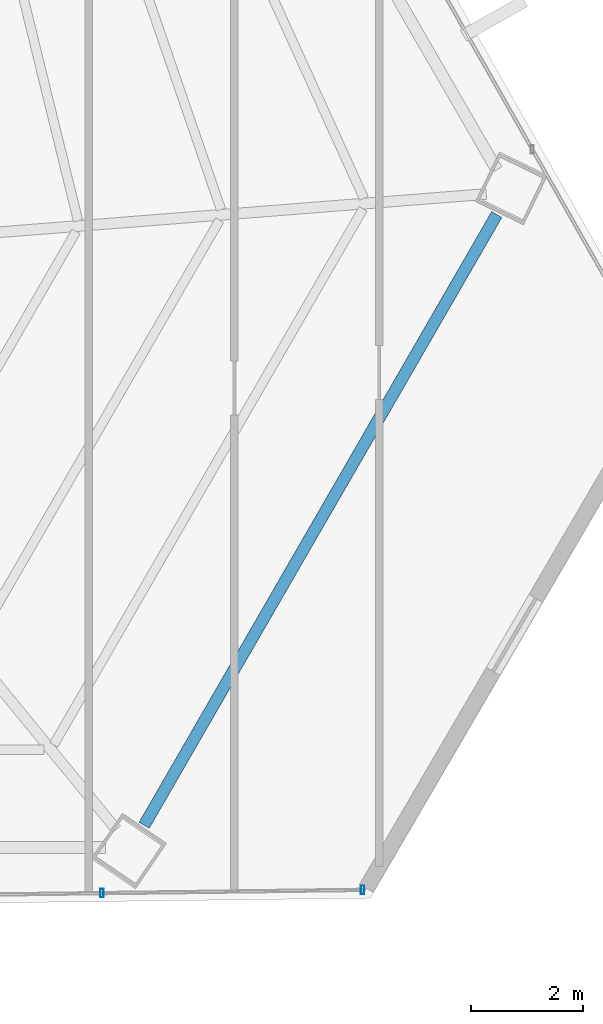
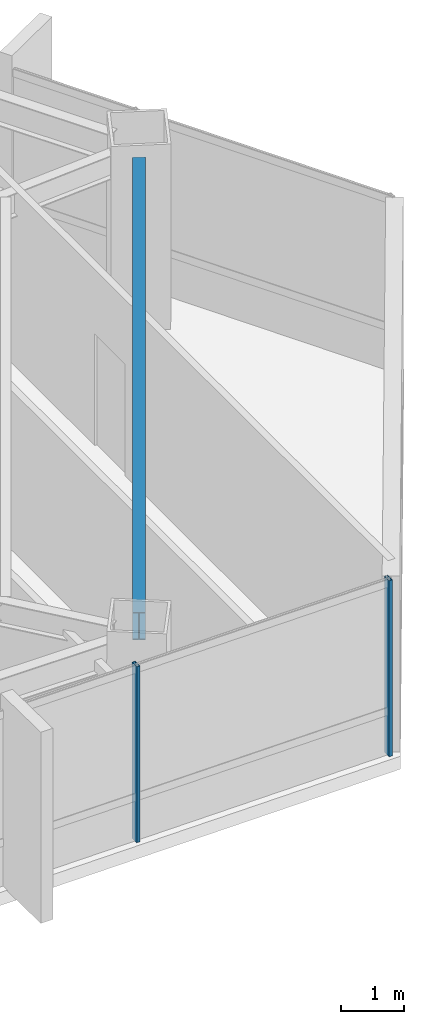
# One storey, part 19 of 42: 2 members, 1 beam, 1 element without a shape of its own.
"""IFC4 building model written with IfcOpenShell, lengths in metres."""

import ifcopenshell
import ifcopenshell.guid

model = None  # the IFC model being written
_history = None  # IfcOwnerHistory: only IFC2X3 demands one
_inside = {}  # id of a spatial element -> (the spatial element, [elements in it])
_under = {}  # id of a project, library or spatial element -> (it, [spatial elements below it])
_declared = {}  # id of a project -> (the project, [libraries it declares])
_typed = {}  # id of a type object -> (the type object, [elements of that type])
_made_of = {}  # id of a material, layer set ... -> (it, [elements and type objects made of it])


def new_model(schema):
    """Start an empty IFC model of exactly this schema.

    Asked for "IFC4X3", IfcOpenShell would pick the latest addendum, in which some entities
    have other attributes; the version numbers below select the first issue.
    IFC2X3 requires an IfcOwnerHistory on every rooted entity: one is made here for all.
    """
    global model, _history
    if schema == "IFC4X3":
        model = ifcopenshell.file(schema_version=(4, 3, 0, 0))
    else:
        model = ifcopenshell.file(schema=schema)
    _inside.clear()
    _under.clear()
    _declared.clear()
    _typed.clear()
    _made_of.clear()
    _history = None
    if model.schema == "IFC2X3":
        org = make("IfcOrganization", Name="unknown")
        user = make(
            "IfcPersonAndOrganization",
            ThePerson=make("IfcPerson", FamilyName="unknown"),
            TheOrganization=org,
        )
        app = make(
            "IfcApplication",
            ApplicationDeveloper=org,
            Version="unknown",
            ApplicationFullName="unknown",
            ApplicationIdentifier="unknown",
        )
        _history = make(
            "IfcOwnerHistory",
            OwningUser=user,
            OwningApplication=app,
            ChangeAction="ADDED",
            CreationDate=0,
        )
    return model


def make(cls, **values):
    """One entity of the class cls with the attributes given. An attribute that is None is left unset."""
    return model.create_entity(
        cls, **{name: value for name, value in values.items() if value is not None}
    )


def rooted(cls, **values):
    """An entity with a GlobalId (a new one), such as an element, a storey or a relation."""
    return make(cls, GlobalId=ifcopenshell.guid.new(), OwnerHistory=_history, **values)


def si_unit(unit_type, name, prefix=None):
    """IfcSIUnit, for example si_unit("LENGTHUNIT", "METRE", prefix="MILLI")."""
    return make("IfcSIUnit", UnitType=unit_type, Prefix=prefix, Name=name)


def assignment(units):
    """IfcUnitAssignment: the units of a project."""
    return None if units is None else make("IfcUnitAssignment", Units=units)


def point(xyz):
    """IfcCartesianPoint."""
    return None if xyz is None else make("IfcCartesianPoint", Coordinates=xyz)


def direction(xyz):
    """IfcDirection."""
    return None if xyz is None else make("IfcDirection", DirectionRatios=xyz)


def frame(location, z_axis=None, x_axis=None):
    """IfcAxis2Placement3D, a coordinate frame: its origin and axes. An axis left out is left unset."""
    return make(
        "IfcAxis2Placement3D",
        Location=point(location),
        Axis=direction(z_axis),
        RefDirection=direction(x_axis),
    )


def frame_2d(location, x_axis=None):
    """IfcAxis2Placement2D, a coordinate frame in the plane: its origin and x axis."""
    return make(
        "IfcAxis2Placement2D", Location=point(location), RefDirection=direction(x_axis)
    )


def origin():
    """The frame at (0, 0, 0) with its axes left unset."""
    return frame((0.0, 0.0, 0.0))


def origin_2d():
    """The frame at (0, 0) in the plane with its x axis left unset."""
    return frame_2d((0.0, 0.0))


def place(relative_to, where):
    """IfcLocalPlacement: puts the frame where relative to a parent placement (None: the world)."""
    return make(
        "IfcLocalPlacement", PlacementRelTo=relative_to, RelativePlacement=where
    )


def context(
    kind, dimensions, precision=None, world=None, true_north=None, identifier=None
):
    """IfcGeometricRepresentationContext, for example the 3D "Model" context."""
    return make(
        "IfcGeometricRepresentationContext",
        ContextIdentifier=identifier,
        ContextType=kind,
        CoordinateSpaceDimension=dimensions,
        Precision=precision,
        WorldCoordinateSystem=world,
        TrueNorth=true_north,
    )


def subcontext(parent, identifier, kind, view, scale=None):
    """IfcGeometricRepresentationSubContext, for example "Body" below "Model"."""
    return make(
        "IfcGeometricRepresentationSubContext",
        ContextIdentifier=identifier,
        ContextType=kind,
        ParentContext=parent,
        TargetScale=scale,
        TargetView=view,
    )


def project(units=None, contexts=None):
    """IfcProject with its units and contexts."""
    return rooted(
        "IfcProject",
        Name="project",
        RepresentationContexts=contexts,
        UnitsInContext=assignment(units),
    )


def spatial(cls, under=None, at=None, **own):
    """A site, building, storey or space (cls), placed at a placement, below another one or the project."""
    s = rooted(cls, ObjectPlacement=at, **own)
    if under is not None:
        _under.setdefault(under.id(), (under, []))[1].append(s)
    return s


def profile(cls, at=None, kind="AREA", **sizes):
    """A parametric profile (cls). Its sizes go by their IFC names, for example OverallWidth=200.0."""
    return make(cls, ProfileType=kind, Position=at, **sizes)


def hollow_rectangle(**sizes):
    """IfcRectangleHollowProfileDef."""
    return profile("IfcRectangleHollowProfileDef", **sizes)


def i_section(**sizes):
    """IfcIShapeProfileDef."""
    return profile("IfcIShapeProfileDef", **sizes)


def extrude(swept, where, along, depth):
    """IfcExtrudedAreaSolid: the profile swept, set in the frame where, extruded along a direction by depth."""
    return make(
        "IfcExtrudedAreaSolid",
        SweptArea=swept,
        Position=where,
        ExtrudedDirection=direction(along),
        Depth=depth,
    )


def shape(context_of_items, identifier, shape_type, items):
    """IfcShapeRepresentation: the items that make up one representation, for example the "Body"."""
    return make(
        "IfcShapeRepresentation",
        ContextOfItems=context_of_items,
        RepresentationIdentifier=identifier,
        RepresentationType=shape_type,
        Items=items,
    )


def source(mapping_origin, context_of_items, identifier, shape_type, items):
    """IfcRepresentationMap: a shape defined once, which mapped items show again and again."""
    return make(
        "IfcRepresentationMap",
        MappingOrigin=mapping_origin,
        MappedRepresentation=shape(context_of_items, identifier, shape_type, items),
    )


def transform(
    local_origin,
    x_axis=None,
    y_axis=None,
    z_axis=None,
    scale=None,
    scale2=None,
    scale3=None,
    uniform=True,
):
    """IfcCartesianTransformationOperator3D, or its non-uniform kind. x_axis, y_axis, z_axis: its Axis1, 2, 3."""
    if uniform:
        return make(
            "IfcCartesianTransformationOperator3D",
            Axis1=direction(x_axis),
            Axis2=direction(y_axis),
            LocalOrigin=point(local_origin),
            Scale=scale,
            Axis3=direction(z_axis),
        )
    return make(
        "IfcCartesianTransformationOperator3DnonUniform",
        Axis1=direction(x_axis),
        Axis2=direction(y_axis),
        LocalOrigin=point(local_origin),
        Scale=scale,
        Axis3=direction(z_axis),
        Scale2=scale2,
        Scale3=scale3,
    )


def mapped(mapping_source, mapping_target):
    """IfcMappedItem: shows the shape of a source again, moved by a transform."""
    return make(
        "IfcMappedItem", MappingSource=mapping_source, MappingTarget=mapping_target
    )


def material(Name=None, Category=None):
    """IfcMaterial."""
    return make("IfcMaterial", Name=Name, Category=Category)


def material_profile(
    of_material, cross_section, Name=None, Category=None, Priority=None
):
    """IfcMaterialProfile: a cross section and its material."""
    return make(
        "IfcMaterialProfile",
        Name=Name,
        Material=of_material,
        Profile=cross_section,
        Priority=Priority,
        Category=Category,
    )


def profile_set(profiles, Name=None, composite=None):
    """IfcMaterialProfileSet."""
    return make(
        "IfcMaterialProfileSet",
        Name=Name,
        MaterialProfiles=profiles,
        CompositeProfile=composite,
    )


def made_of(thing, what):
    """Note that an element or type object is made of a material, layer set ...; save() writes the relation."""
    if what is not None:
        _made_of.setdefault(what.id(), (what, []))[1].append(thing)
    return thing


def type_object(cls, material=None, **own):
    """A type object (cls), such as IfcWallType, which elements share."""
    return made_of(rooted(cls, **own), material)


def type_shapes(of_type, sources):
    """Give a type object the sources (RepresentationMaps) that its elements show as mapped items."""
    of_type.RepresentationMaps = sources


def element(
    cls,
    number,
    at=None,
    inside=None,
    cuts=None,
    type_object=None,
    material=None,
    context=None,
    identifier="Body",
    shape_type=None,
    held_by="IfcProductDefinitionShape",
    body=None,
    shapes=None,
    **own,
):
    """One element of the class cls, such as IfcWall. Its Tag is "e" and its number.

    at: its placement. inside: the storey or other place that contains it. cuts: it is an
    opening in that element (IfcRelVoidsElement). A single representation is given by context,
    identifier, shape_type and body (its items); several are given by shapes. held_by: the class
    of the entity that holds the representations. save() writes the other relations.
    """
    e = rooted(cls, Tag="e%d" % number, ObjectPlacement=at, **own)
    if body is not None:
        shapes = [shape(context, identifier, shape_type, body)]
    if shapes is not None:
        e.Representation = make(held_by, Representations=shapes)
    if inside is not None:
        _inside.setdefault(inside.id(), (inside, []))[1].append(e)
    if cuts is not None:
        rooted(
            "IfcRelVoidsElement", RelatingBuildingElement=cuts, RelatedOpeningElement=e
        )
    if type_object is not None:
        _typed.setdefault(type_object.id(), (type_object, []))[1].append(e)
    return made_of(e, material)


def aggregate(whole, parts):
    """IfcRelAggregates: a whole, such as a stair, and the parts it consists of."""
    return rooted("IfcRelAggregates", RelatingObject=whole, RelatedObjects=parts)


def save(model, path):
    """Write the relations noted so far, then the file.

    IfcRelAggregates (storeys below a building ...), IfcRelContainedInSpatialStructure (elements
    in a storey), IfcRelDefinesByType, IfcRelAssociatesMaterial and IfcRelDeclares: one each for
    every whole, place, type object, material and project.
    """
    for whole, parts in _under.values():
        aggregate(whole, parts)
    for where, things in _inside.values():
        rooted(
            "IfcRelContainedInSpatialStructure",
            RelatedElements=things,
            RelatingStructure=where,
        )
    for kind, things in _typed.values():
        rooted("IfcRelDefinesByType", RelatedObjects=things, RelatingType=kind)
    for what, things in _made_of.values():
        rooted("IfcRelAssociatesMaterial", RelatedObjects=things, RelatingMaterial=what)
    for by, libraries in _declared.values():
        rooted("IfcRelDeclares", RelatingContext=by, RelatedDefinitions=libraries)
    model.write(path)


model = new_model("IFC4")

# Units and contexts
model_context = context("Model", 3, precision=1e-05, world=origin(), true_north=direction((0.0, 1.0)))
body_context = subcontext(model_context, "Body", "Model", "MODEL_VIEW")
ifc_project = project(units=[si_unit("LENGTHUNIT", "METRE"), si_unit("AREAUNIT", "SQUARE_METRE"), si_unit("VOLUMEUNIT", "CUBIC_METRE"), si_unit("PLANEANGLEUNIT", "RADIAN"), si_unit("MASSUNIT", "GRAM", prefix="KILO")], contexts=[model_context])

# Site, building, storey
site_placement = place(None, origin())
site = spatial("IfcSite", under=ifc_project, at=site_placement, CompositionType="ELEMENT")
building_placement = place(site_placement, origin())
building = spatial("IfcBuilding", under=site, at=building_placement, Name="Caelisora Broadcast Tower", CompositionType="ELEMENT")
storey_placement = place(building_placement, frame((0.0, 0.0, 131.800048828125)))
storey = spatial("IfcBuildingStorey", under=building, at=storey_placement, Name="L34", CompositionType="ELEMENT", Elevation=131.800048828125)

# Beam
ifc_material_1 = material(Name="Steel Grade 350 (AS/NZS 3679.1)", Category="steel")
ifc_material_profile_1 = material_profile(ifc_material_1, i_section(OverallWidth=0.208984375, OverallDepth=0.532958984375, WebThickness=0.01025390625, FlangeThickness=0.015625, at=origin_2d()), Name="Steel Grade 350 (AS/NZS 3679.1)")
ifc_profile_set_1 = profile_set([ifc_material_profile_1], Name="Steel Grade 350 (AS/NZS 3679.1)")
beam_type = type_object("IfcBeamType", Name="PG05", PredefinedType="BEAM", material=ifc_profile_set_1)
shared_shape_1 = source(origin(), body_context, "Body", "SweptSolid", [
    extrude(i_section(OverallWidth=0.208984375, OverallDepth=0.532958984375, WebThickness=0.01025390625, FlangeThickness=0.015625, at=origin_2d()), origin(), (0.0, 0.0, 1.0), 12.55029296875),
])
type_shapes(beam_type, [shared_shape_1])
beam_placement = place(storey_placement, frame((54.31494140625, 7.334716796875, 3.133544921875), z_axis=(0.499999173725, 0.866025880834, 0.0), x_axis=(-0.866025880834, 0.499999173725, 0.0)))
element("IfcBeam", 1, at=beam_placement, inside=storey, type_object=beam_type, Name="L34 beam PG05", PredefinedType="BEAM", context=body_context, shape_type="MappedRepresentation", body=[
    mapped(shared_shape_1, transform((0.0, 0.0, 0.0), scale=1.0)),
])

# Curtain wall, members
ifc_material_2 = material(Name="Unitised Aluminium and Low-E Glass Curtain Wall", Category="glass")
curtain_wall_type = type_object("IfcCurtainWallType", Name="CW-Z3", PredefinedType="NOTDEFINED", material=ifc_material_2)
curtain_wall_placement = place(storey_placement, origin())
curtain_wall = element("IfcCurtainWall", 2, at=curtain_wall_placement, inside=storey, type_object=curtain_wall_type, Name="L34 curtain wall CW-Z3", PredefinedType="NOTDEFINED")
ifc_material_3 = material(Name="Aluminium 6063-T6 Anodised Terracotta Bronze", Category="aluminium")
ifc_material_profile_2 = material_profile(ifc_material_3, hollow_rectangle(XDim=0.06005859375, YDim=0.14990234375, WallThickness=0.00341796875, at=origin_2d()), Name="Aluminium 6063-T6 Anodised Terracotta Bronze")
ifc_profile_set_2 = profile_set([ifc_material_profile_2], Name="Aluminium 6063-T6 Anodised Terracotta Bronze")
member_type = type_object("IfcMemberType", Name="CWM-03", PredefinedType="MULLION", material=ifc_profile_set_2)
shared_shape_2 = source(origin(), body_context, "Body", "SweptSolid", [
    extrude(hollow_rectangle(XDim=0.06005859375, YDim=0.14990234375, WallThickness=0.00341796875, at=origin_2d()), origin(), (0.0, 0.0, 1.0), 3.39990234375),
])
type_shapes(member_type, [shared_shape_2])
member_1_placement = place(storey_placement, frame((58.202880859375, 6.184326171875, 0.0), z_axis=(0.0, 0.0, 1.0), x_axis=(1.0, 0.0, 0.0)))
member_1 = element("IfcMember", 3, at=member_1_placement, type_object=member_type, Name="L34-CW-B05 mullion #0", PredefinedType="MULLION", context=body_context, shape_type="MappedRepresentation", body=[
    mapped(shared_shape_2, transform((0.0, 0.0, 0.0), scale=1.0)),
])
member_2_placement = place(storey_placement, frame((53.56396484375, 6.126220703125, 0.0), z_axis=(0.0, 0.0, 1.0), x_axis=(1.0, 0.0, 0.0)))
member_2 = element("IfcMember", 4, at=member_2_placement, type_object=member_type, Name="L34-CW-B05 mullion #1", PredefinedType="MULLION", context=body_context, shape_type="MappedRepresentation", body=[
    mapped(shared_shape_2, transform((0.0, 0.0, 0.0), scale=1.0)),
])
aggregate(curtain_wall, [member_1, member_2])

save(model, "model.ifc")
